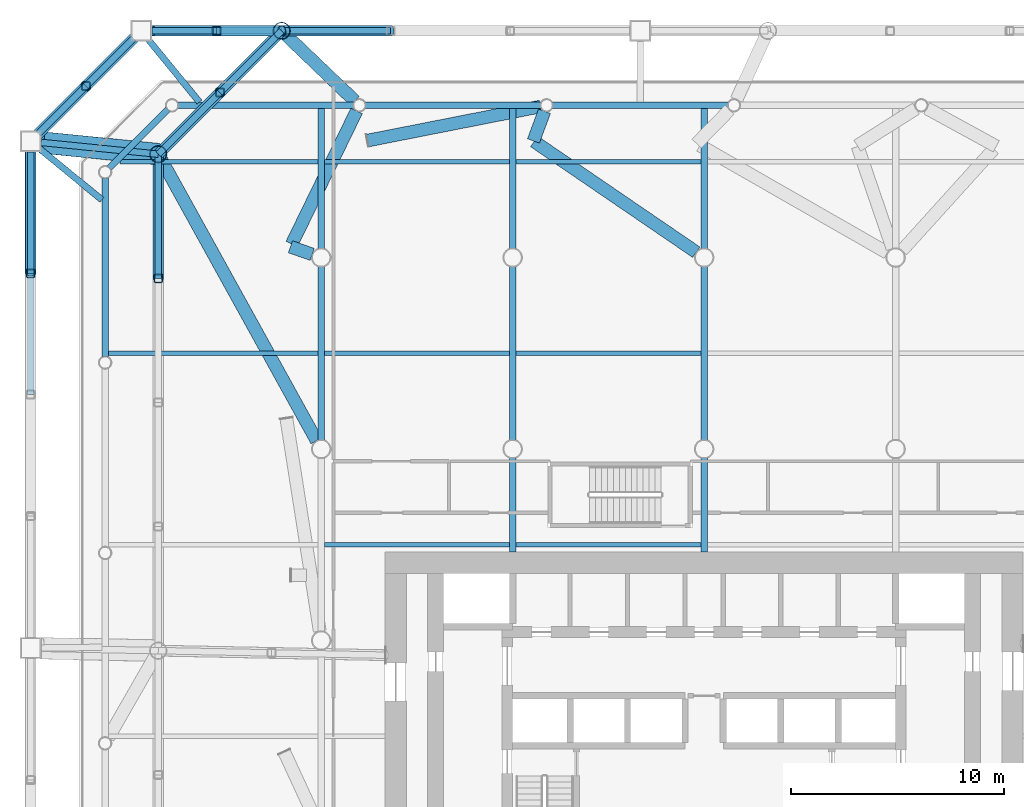
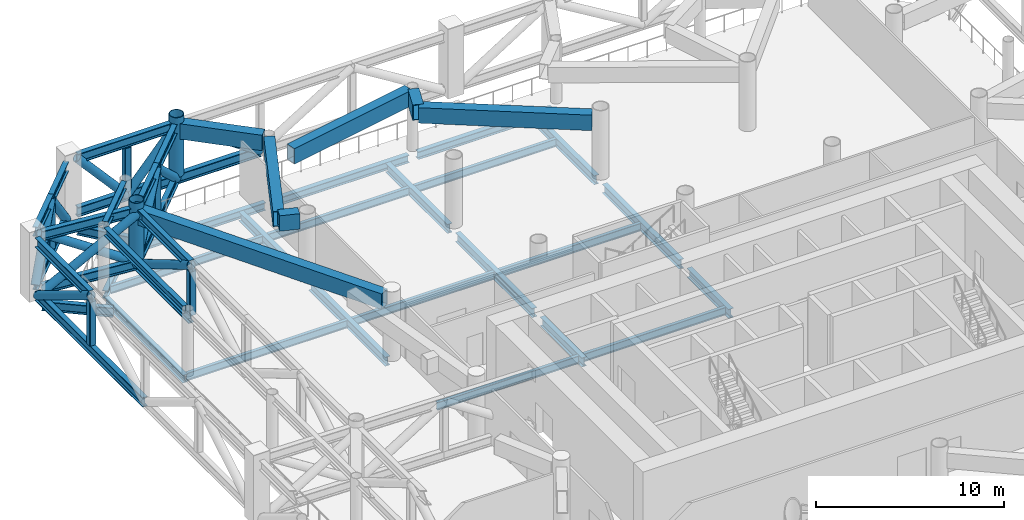
# One storey, part 6 of 22: 48 beams, 18 members.
"""IFC4 building model written with IfcOpenShell, lengths in metres."""

from ifc_helpers import new_model, si_unit, direction, frame, origin, origin_2d, place, context, subcontext, project, spatial, hollow_rectangle, hollow_circle, i_section, extrude, material, material_profile, profile_set, type_object, element, save


model = new_model("IFC4")

# Units and contexts
model_context = context("Model", 3, precision=1e-05, world=origin(), true_north=direction((0.0, 1.0)))
body_context = subcontext(model_context, "Body", "Model", "MODEL_VIEW")
ifc_project = project(units=[si_unit("LENGTHUNIT", "METRE"), si_unit("AREAUNIT", "SQUARE_METRE"), si_unit("VOLUMEUNIT", "CUBIC_METRE"), si_unit("PLANEANGLEUNIT", "RADIAN"), si_unit("MASSUNIT", "GRAM", prefix="KILO")], contexts=[model_context])

# Site, building, storey
site_placement = place(None, origin())
site = spatial("IfcSite", under=ifc_project, at=site_placement, CompositionType="ELEMENT")
building_placement = place(site_placement, origin())
building = spatial("IfcBuilding", under=site, at=building_placement, Name="Tskaro Facet Tower", CompositionType="ELEMENT")
storey_placement = place(building_placement, frame((0.0, 0.0, 57.60009765625)))
storey = spatial("IfcBuildingStorey", under=building, at=storey_placement, Name="L13", CompositionType="ELEMENT", Elevation=57.60009765625)

# Beams
ifc_material_1 = material(Name="Steel S355J2", Category="steel")
ifc_material_profile_1 = material_profile(ifc_material_1, hollow_rectangle(XDim=0.60009765625, YDim=1.0, WallThickness=0.0400390625, at=origin_2d()), Name="BOX 600x1000x40")
ifc_profile_set_1 = profile_set([ifc_material_profile_1], Name="Steel S355J2")
beam_type_1 = type_object("IfcBeamType", Name="BOX 600x1000x40 transfer girder", PredefinedType="BEAM", material=ifc_profile_set_1)
beam_1_placement = place(storey_placement, frame((-19.446044921875, 18.5078125, 3.579833984375), z_axis=(0.943524759619, -0.331302019289, 0.0), x_axis=(0.331302019289, 0.943524759619, 0.0)))
element("IfcBeam", 1, at=beam_1_placement, inside=storey, type_object=beam_type_1, Name="BOX 600x1000x40 TG2-6", PredefinedType="BEAM", context=body_context, shape_type="SweptSolid", body=[
    extrude(hollow_rectangle(XDim=0.60009765625, YDim=1.0, WallThickness=0.0400390625, at=origin_2d()), origin(), (0.0, 0.0, 1.0), 1.08544921875),
])
beam_2_placement = place(storey_placement, frame((-19.384765625, 18.633544921875, 3.579833984375), z_axis=(0.437930904469, 0.899008633391, 0.0), x_axis=(-0.899008633391, 0.437930904469, 0.0)))
element("IfcBeam", 2, at=beam_2_placement, inside=storey, type_object=beam_type_1, Name="BOX 600x1000x40 TG2-7", PredefinedType="BEAM", context=body_context, shape_type="SweptSolid", body=[
    extrude(hollow_rectangle(XDim=0.60009765625, YDim=1.0, WallThickness=0.0400390625, at=origin_2d()), origin(), (0.0, 0.0, 1.0), 6.96142578125),
])
beam_3_placement = place(storey_placement, frame((-15.816162109375, 23.500244140625, 3.579833984375), z_axis=(0.981159198044, 0.193201004381, 0.0), x_axis=(-0.193201004381, 0.981159198044, 0.0)))
element("IfcBeam", 3, at=beam_3_placement, inside=storey, type_object=beam_type_1, Name="BOX 600x1000x40 TG2-8", PredefinedType="BEAM", context=body_context, shape_type="SweptSolid", body=[
    extrude(hollow_rectangle(XDim=0.60009765625, YDim=1.0, WallThickness=0.0400390625, at=origin_2d()), origin(), (0.0, 0.0, 1.0), 8.28076171875),
])
beam_4_placement = place(storey_placement, frame((-8.02294921875, 23.480712890625, 3.579833984375), z_axis=(0.347410243241, 0.93771324129, 0.0), x_axis=(-0.93771324129, 0.347410243241, 0.0)))
element("IfcBeam", 4, at=beam_4_placement, inside=storey, type_object=beam_type_1, Name="BOX 600x1000x40 TG2-11", PredefinedType="BEAM", context=body_context, shape_type="SweptSolid", body=[
    extrude(hollow_rectangle(XDim=0.60009765625, YDim=1.0, WallThickness=0.0400390625, at=origin_2d()), origin(), (0.0, 0.0, 1.0), 1.49267578125),
])
beam_5_placement = place(storey_placement, frame((-7.989990234375, 23.458251953125, 3.579833984375), z_axis=(0.825721647739, -0.564077796456, 0.0), x_axis=(0.564077796456, 0.825721647739, 0.0)))
element("IfcBeam", 5, at=beam_5_placement, inside=storey, type_object=beam_type_1, Name="BOX 600x1000x40 TG2-12", PredefinedType="BEAM", context=body_context, shape_type="SweptSolid", body=[
    extrude(hollow_rectangle(XDim=0.60009765625, YDim=1.0, WallThickness=0.0400390625, at=origin_2d()), origin(), (0.0, 0.0, 1.0), 9.229248046875),
])
beam_6_placement = place(storey_placement, frame((-25.658935546875, 22.85888671875, 3.579833984375), z_axis=(0.483688350666, -0.875240298107, 0.0), x_axis=(0.875240298107, 0.483688350666, 0.0)))
element("IfcBeam", 6, at=beam_6_placement, inside=storey, type_object=beam_type_1, Name="BOX 600x1000x40 TG2-13", PredefinedType="BEAM", context=body_context, shape_type="SweptSolid", body=[
    extrude(hollow_rectangle(XDim=0.60009765625, YDim=1.0, WallThickness=0.0400390625, at=origin_2d()), origin(), (0.0, 0.0, 1.0), 15.38720703125),
])
beam_7_placement = place(storey_placement, frame((-19.85888671875, 28.658935546875, 3.579833984375), z_axis=(0.721759929695, -0.692143485043, 0.0), x_axis=(0.692143485043, 0.721759929695, 0.0)))
element("IfcBeam", 7, at=beam_7_placement, inside=storey, type_object=beam_type_1, Name="BOX 600x1000x40 TG2-47", PredefinedType="BEAM", context=body_context, shape_type="SweptSolid", body=[
    extrude(hollow_rectangle(XDim=0.60009765625, YDim=1.0, WallThickness=0.0400390625, at=origin_2d()), origin(), (0.0, 0.0, 1.0), 4.7646484375),
])

# Members
ifc_material_2 = material(Name="Steel S355J2H", Category="steel")
ifc_material_profile_2 = material_profile(ifc_material_2, hollow_circle(Radius=0.25390625, WallThickness=0.02490234375, at=origin_2d()), Name="CHS 508x25")
ifc_profile_set_2 = profile_set([ifc_material_profile_2], Name="Steel S355J2H")
member_type_1 = type_object("IfcMemberType", Name="CHS 508x25 belt diagonal", PredefinedType="BRACE", material=ifc_profile_set_2)
member_1_placement = place(storey_placement, frame((-14.7314453125, 28.658935546875, 0.309814453125), z_axis=(-0.828909981142, 0.0, 0.559382018985), x_axis=(0.0, -1.0, 0.0)))
element("IfcMember", 8, at=member_1_placement, inside=storey, type_object=member_type_1, Name="CHS 508x25 BD1-083", PredefinedType="BRACE", context=body_context, shape_type="SweptSolid", body=[
    extrude(hollow_circle(Radius=0.25390625, WallThickness=0.02490234375, at=origin_2d()), origin(), (0.0, 0.0, 1.0), 6.185791015625),
])
for number, where, z_axis, x_axis, name in (
    (9, (-19.85888671875, 28.658935546875, 3.77001953125), (-0.66148511887, 0.0, -0.749958290516), (0.0, -1.0, 0.0), "CHS 508x25 BD1-084"),
    (10, (-22.910888671875, 28.658935546875, 0.309814453125), (-0.66148511887, 0.0, 0.749958290516), (0.0, -1.0, 0.0), "CHS 508x25 BD1-085"),
):
    element("IfcMember", number, at=place(storey_placement, frame(where, z_axis=z_axis, x_axis=x_axis)), inside=storey, type_object=member_type_1, Name=name, PredefinedType="BRACE", context=body_context, shape_type="SweptSolid", body=[
        extrude(hollow_circle(Radius=0.25390625, WallThickness=0.02490234375, at=origin_2d()), origin(), (0.0, 0.0, 1.0), 4.61376953125),
    ])
for number, where, z_axis, x_axis, name in (
    (11, (-26.816650390625, 28.305419921875, 0.309814453125), (-0.477988218239, -0.477988218239, 0.736922334069), (0.707106781187, -0.707106781187, 0.0), "CHS 508x25 BD1-091"),
    (12, (-29.06103515625, 26.06103515625, 3.77001953125), (-0.477988218239, -0.477988218239, -0.736922334069), (0.707106781187, -0.707106781187, 0.0), "CHS 508x25 BD1-092"),
):
    element("IfcMember", number, at=place(storey_placement, frame(where, z_axis=z_axis, x_axis=x_axis)), inside=storey, type_object=member_type_1, Name=name, PredefinedType="BRACE", context=body_context, shape_type="SweptSolid", body=[
        extrude(hollow_circle(Radius=0.25390625, WallThickness=0.02490234375, at=origin_2d()), origin(), (0.0, 0.0, 1.0), 4.695556640625),
    ])
member_2_placement = place(storey_placement, frame((-31.658935546875, 22.962890625, 0.309814453125), z_axis=(0.0, -0.855026263198, 0.518584698233), x_axis=(1.0, 0.0, 0.0)))
element("IfcMember", 13, at=member_2_placement, inside=storey, type_object=member_type_1, Name="CHS 508x25 BD1-101", PredefinedType="BRACE", context=body_context, shape_type="SweptSolid", body=[
    extrude(hollow_circle(Radius=0.25390625, WallThickness=0.02490234375, at=origin_2d()), origin(), (0.0, 0.0, 1.0), 6.67236328125),
])
for number, where, z_axis, x_axis, name in (
    (14, (-19.85888671875, 28.658935546875, 0.309814453125), (-0.540473238838, -0.540427740628, 0.644846133012), (0.707077016416, -0.707136544705, 0.0), "CHS 508x25 TB1-09-D1"),
    (15, (-22.759033203125, 25.759033203125, 3.77001953125), (-0.540427740628, -0.540473238838, -0.644846133012), (0.707136544705, -0.707077016416, 0.0), "CHS 508x25 TB1-09-D2"),
):
    element("IfcMember", number, at=place(storey_placement, frame(where, z_axis=z_axis, x_axis=x_axis)), inside=storey, type_object=member_type_1, Name=name, PredefinedType="BRACE", context=body_context, shape_type="SweptSolid", body=[
        extrude(hollow_circle(Radius=0.25390625, WallThickness=0.02490234375, at=origin_2d()), origin(), (0.0, 0.0, 1.0), 5.365966796875),
    ])
member_3_placement = place(storey_placement, frame((-25.658935546875, 22.85888671875, 0.309814453125), z_axis=(0.0, -0.860104974489, 0.510117077601), x_axis=(1.0, 0.0, 0.0)))
element("IfcMember", 16, at=member_3_placement, inside=storey, type_object=member_type_1, Name="CHS 508x25 TB1-10-D1", PredefinedType="BRACE", context=body_context, shape_type="SweptSolid", body=[
    extrude(hollow_circle(Radius=0.25390625, WallThickness=0.02490234375, at=origin_2d()), origin(), (0.0, 0.0, 1.0), 6.783203125),
])
member_4_placement = place(storey_placement, frame((-31.18701171875, 23.16015625, 0.309814453125), z_axis=(0.843483857689, -0.084913477665, 0.530400493146), x_axis=(0.100163677994, 0.99497097325, 0.0)))
element("IfcMember", 17, at=member_4_placement, inside=storey, type_object=member_type_1, Name="CHS 508x25 TL1-10A-D1", PredefinedType="BRACE", context=body_context, shape_type="SweptSolid", body=[
    extrude(hollow_circle(Radius=0.25390625, WallThickness=0.02490234375, at=origin_2d()), origin(), (0.0, 0.0, 1.0), 6.523681640625),
])
member_5_placement = place(storey_placement, frame((-31.135986328125, 23.66552734375, 3.77001953125), z_axis=(0.843475739177, -0.084879003303, -0.530418921437), x_axis=(0.100124373921, 0.994974929205, 0.0)))
element("IfcMember", 18, at=member_5_placement, inside=storey, type_object=member_type_1, Name="CHS 508x25 TL1-10A-D2", PredefinedType="BRACE", context=body_context, shape_type="SweptSolid", body=[
    extrude(hollow_circle(Radius=0.25390625, WallThickness=0.02490234375, at=origin_2d()), origin(), (0.0, 0.0, 1.0), 6.5234375),
])
ifc_material_profile_3 = material_profile(ifc_material_2, hollow_circle(Radius=0.406494140625, WallThickness=0.035888671875, at=origin_2d()), Name="CHS 812.8x36")
ifc_profile_set_3 = profile_set([ifc_material_profile_3], Name="Steel S355J2H")
member_type_2 = type_object("IfcMemberType", Name="CHS 812.8x36 transfer node post", PredefinedType="POST", material=ifc_profile_set_3)
for number, where, z_axis, x_axis, name in (
    (19, (-19.85888671875, 28.658935546875, 0.619873046875), (0.0, 0.0, 1.0), (1.0, 0.0, 0.0), "CHS 812.8x36 TN1-09"),
    (20, (-25.658935546875, 22.85888671875, 0.619873046875), (0.0, 0.0, 1.0), (1.0, 0.0, 0.0), "CHS 812.8x36 TN1-10"),
):
    element("IfcMember", number, at=place(storey_placement, frame(where, z_axis=z_axis, x_axis=x_axis)), inside=storey, type_object=member_type_2, Name=name, PredefinedType="POST", context=body_context, shape_type="SweptSolid", body=[
        extrude(hollow_circle(Radius=0.406494140625, WallThickness=0.035888671875, at=origin_2d()), origin(), (0.0, 0.0, 1.0), 3.880126953125),
    ])

# Beams
ifc_material_profile_4 = material_profile(ifc_material_1, i_section(OverallWidth=0.300048828125, OverallDepth=0.5, WebThickness=0.014404296875, FlangeThickness=0.028076171875, FilletRadius=0.027099609375, at=origin_2d()), Name="HE 500 B")
ifc_profile_set_4 = profile_set([ifc_material_profile_4], Name="Steel S355J2")
beam_type_2 = type_object("IfcBeamType", Name="HE 500 B ring beam", PredefinedType="BEAM", material=ifc_profile_set_4)
beam_8_placement = place(storey_placement, frame((1.126953125, 25.156982421875, -0.5), z_axis=(-1.0, 0.0, 0.0), x_axis=(0.0, -1.0, 0.0)))
element("IfcBeam", 21, at=beam_8_placement, inside=storey, type_object=beam_type_2, Name="HE 500 B EB16-1", PredefinedType="BEAM", context=body_context, shape_type="SweptSolid", body=[
    extrude(i_section(OverallWidth=0.300048828125, OverallDepth=0.5, WebThickness=0.014404296875, FlangeThickness=0.028076171875, FilletRadius=0.027099609375, at=origin_2d()), origin(), (0.0, 0.0, 1.0), 8.25390625),
])
beam_9_placement = place(storey_placement, frame((-7.677001953125, 25.156982421875, -0.5), z_axis=(-1.0, 0.0, 0.0), x_axis=(0.0, -1.0, 0.0)))
element("IfcBeam", 22, at=beam_9_placement, inside=storey, type_object=beam_type_2, Name="HE 500 B EB17-1", PredefinedType="BEAM", context=body_context, shape_type="SweptSolid", body=[
    extrude(i_section(OverallWidth=0.300048828125, OverallDepth=0.5, WebThickness=0.014404296875, FlangeThickness=0.028076171875, FilletRadius=0.027099609375, at=origin_2d()), origin(), (0.0, 0.0, 1.0), 8.2548828125),
])
beam_10_placement = place(storey_placement, frame((-16.48193359375, 25.156982421875, -0.5), z_axis=(-1.0, 0.0, 0.0), x_axis=(0.0, -1.0, 0.0)))
element("IfcBeam", 23, at=beam_10_placement, inside=storey, type_object=beam_type_2, Name="HE 500 B EB18-1", PredefinedType="BEAM", context=body_context, shape_type="SweptSolid", body=[
    extrude(i_section(OverallWidth=0.300048828125, OverallDepth=0.5, WebThickness=0.014404296875, FlangeThickness=0.028076171875, FilletRadius=0.027099609375, at=origin_2d()), origin(), (0.0, 0.0, 1.0), 8.255126953125),
])
beam_11_placement = place(storey_placement, frame((-25.20654296875, 24.962646484375, -0.5), z_axis=(-0.707106781187, -0.707106781187, 0.0), x_axis=(0.707106781187, -0.707106781187, 0.0)))
element("IfcBeam", 24, at=beam_11_placement, inside=storey, type_object=beam_type_2, Name="HE 500 B EB19-1", PredefinedType="BEAM", context=body_context, shape_type="SweptSolid", body=[
    extrude(i_section(OverallWidth=0.300048828125, OverallDepth=0.5, WebThickness=0.014404296875, FlangeThickness=0.028076171875, FilletRadius=0.027099609375, at=origin_2d()), origin(), (0.0, 0.0, 1.0), 3.897705078125),
])
beam_12_placement = place(storey_placement, frame((-28.156982421875, 21.737060546875, -0.5), z_axis=(0.0, -1.0, 0.0), x_axis=(1.0, 0.0, 0.0)))
element("IfcBeam", 25, at=beam_12_placement, inside=storey, type_object=beam_type_2, Name="HE 500 B EB20-1", PredefinedType="BEAM", context=body_context, shape_type="SweptSolid", body=[
    extrude(i_section(OverallWidth=0.300048828125, OverallDepth=0.5, WebThickness=0.014404296875, FlangeThickness=0.028076171875, FilletRadius=0.027099609375, at=origin_2d()), origin(), (0.0, 0.0, 1.0), 8.39794921875),
])
beam_13_placement = place(storey_placement, frame((-25.20654296875, 24.962646484375, 4.0), z_axis=(-0.707106781187, -0.707106781187, 0.0), x_axis=(0.707106781187, -0.707106781187, 0.0)))
element("IfcBeam", 26, at=beam_13_placement, inside=storey, type_object=beam_type_2, Name="HE 500 B EB19-1R", PredefinedType="BEAM", context=body_context, shape_type="SweptSolid", body=[
    extrude(i_section(OverallWidth=0.300048828125, OverallDepth=0.5, WebThickness=0.014404296875, FlangeThickness=0.028076171875, FilletRadius=0.027099609375, at=origin_2d()), origin(), (0.0, 0.0, 1.0), 3.897705078125),
])
beam_14_placement = place(storey_placement, frame((-28.156982421875, 21.737060546875, 4.0), z_axis=(0.0, -1.0, 0.0), x_axis=(1.0, 0.0, 0.0)))
element("IfcBeam", 27, at=beam_14_placement, inside=storey, type_object=beam_type_2, Name="HE 500 B EB20-1R", PredefinedType="BEAM", context=body_context, shape_type="SweptSolid", body=[
    extrude(i_section(OverallWidth=0.300048828125, OverallDepth=0.5, WebThickness=0.014404296875, FlangeThickness=0.028076171875, FilletRadius=0.027099609375, at=origin_2d()), origin(), (0.0, 0.0, 1.0), 8.39794921875),
])
ifc_material_profile_5 = material_profile(ifc_material_1, i_section(OverallWidth=0.300048828125, OverallDepth=0.590087890625, WebThickness=0.012939453125, FlangeThickness=0.02490234375, FilletRadius=0.027099609375, at=origin_2d()), Name="HE 600 A")
ifc_profile_set_5 = profile_set([ifc_material_profile_5], Name="Steel S355J2")
beam_type_3 = type_object("IfcBeamType", Name="HE 600 A girder", PredefinedType="BEAM", material=ifc_profile_set_5)
beam_15_placement = place(storey_placement, frame((-18.0, 9.42724609375, -0.545166015625), z_axis=(0.0, 1.0, 0.0), x_axis=(-1.0, 0.0, 0.0)))
element("IfcBeam", 28, at=beam_15_placement, inside=storey, type_object=beam_type_3, Name="HE 600 A GB2-5-1", PredefinedType="BEAM", context=body_context, shape_type="SweptSolid", body=[
    extrude(i_section(OverallWidth=0.300048828125, OverallDepth=0.590087890625, WebThickness=0.012939453125, FlangeThickness=0.02490234375, FilletRadius=0.027099609375, at=origin_2d()), origin(), (0.0, 0.0, 1.0), 8.1455078125),
])
beam_16_placement = place(storey_placement, frame((-18.0, 18.42724609375, -0.545166015625), z_axis=(0.0, 1.0, 0.0), x_axis=(-1.0, 0.0, 0.0)))
element("IfcBeam", 29, at=beam_16_placement, inside=storey, type_object=beam_type_3, Name="HE 600 A GB2-6-1", PredefinedType="BEAM", context=body_context, shape_type="SweptSolid", body=[
    extrude(i_section(OverallWidth=0.300048828125, OverallDepth=0.590087890625, WebThickness=0.012939453125, FlangeThickness=0.02490234375, FilletRadius=0.027099609375, at=origin_2d()), origin(), (0.0, 0.0, 1.0), 6.579833984375),
])
beam_17_placement = place(storey_placement, frame((-9.0, 4.14990234375, -0.545166015625), z_axis=(0.0, 1.0, 0.0), x_axis=(-1.0, 0.0, 0.0)))
element("IfcBeam", 30, at=beam_17_placement, inside=storey, type_object=beam_type_3, Name="HE 600 A GB3-3-1", PredefinedType="BEAM", context=body_context, shape_type="SweptSolid", body=[
    extrude(i_section(OverallWidth=0.300048828125, OverallDepth=0.590087890625, WebThickness=0.012939453125, FlangeThickness=0.02490234375, FilletRadius=0.027099609375, at=origin_2d()), origin(), (0.0, 0.0, 1.0), 4.4228515625),
])
beam_18_placement = place(storey_placement, frame((-9.0, 9.42724609375, -0.545166015625), z_axis=(0.0, 1.0, 0.0), x_axis=(-1.0, 0.0, 0.0)))
element("IfcBeam", 31, at=beam_18_placement, inside=storey, type_object=beam_type_3, Name="HE 600 A GB3-4-1", PredefinedType="BEAM", context=body_context, shape_type="SweptSolid", body=[
    extrude(i_section(OverallWidth=0.300048828125, OverallDepth=0.590087890625, WebThickness=0.012939453125, FlangeThickness=0.02490234375, FilletRadius=0.027099609375, at=origin_2d()), origin(), (0.0, 0.0, 1.0), 8.1455078125),
])
beam_19_placement = place(storey_placement, frame((-9.0, 18.42724609375, -0.545166015625), z_axis=(0.0, 1.0, 0.0), x_axis=(-1.0, 0.0, 0.0)))
element("IfcBeam", 32, at=beam_19_placement, inside=storey, type_object=beam_type_3, Name="HE 600 A GB3-5-1", PredefinedType="BEAM", context=body_context, shape_type="SweptSolid", body=[
    extrude(i_section(OverallWidth=0.300048828125, OverallDepth=0.590087890625, WebThickness=0.012939453125, FlangeThickness=0.02490234375, FilletRadius=0.027099609375, at=origin_2d()), origin(), (0.0, 0.0, 1.0), 6.579833984375),
])
beam_20_placement = place(storey_placement, frame((0.0, 4.14990234375, -0.545166015625), z_axis=(0.0, 1.0, 0.0), x_axis=(-1.0, 0.0, 0.0)))
element("IfcBeam", 33, at=beam_20_placement, inside=storey, type_object=beam_type_3, Name="HE 600 A GB4-3-1", PredefinedType="BEAM", context=body_context, shape_type="SweptSolid", body=[
    extrude(i_section(OverallWidth=0.300048828125, OverallDepth=0.590087890625, WebThickness=0.012939453125, FlangeThickness=0.02490234375, FilletRadius=0.027099609375, at=origin_2d()), origin(), (0.0, 0.0, 1.0), 4.4228515625),
])
beam_21_placement = place(storey_placement, frame((0.0, 9.42724609375, -0.545166015625), z_axis=(0.0, 1.0, 0.0), x_axis=(-1.0, 0.0, 0.0)))
element("IfcBeam", 34, at=beam_21_placement, inside=storey, type_object=beam_type_3, Name="HE 600 A GB4-4-1", PredefinedType="BEAM", context=body_context, shape_type="SweptSolid", body=[
    extrude(i_section(OverallWidth=0.300048828125, OverallDepth=0.590087890625, WebThickness=0.012939453125, FlangeThickness=0.02490234375, FilletRadius=0.027099609375, at=origin_2d()), origin(), (0.0, 0.0, 1.0), 8.1455078125),
])
beam_22_placement = place(storey_placement, frame((0.0, 18.42724609375, -0.545166015625), z_axis=(0.0, 1.0, 0.0), x_axis=(-1.0, 0.0, 0.0)))
element("IfcBeam", 35, at=beam_22_placement, inside=storey, type_object=beam_type_3, Name="HE 600 A GB4-5-1", PredefinedType="BEAM", context=body_context, shape_type="SweptSolid", body=[
    extrude(i_section(OverallWidth=0.300048828125, OverallDepth=0.590087890625, WebThickness=0.012939453125, FlangeThickness=0.02490234375, FilletRadius=0.027099609375, at=origin_2d()), origin(), (0.0, 0.0, 1.0), 6.579833984375),
])
ifc_material_profile_6 = material_profile(ifc_material_1, i_section(OverallWidth=0.300048828125, OverallDepth=0.60009765625, WebThickness=0.015380859375, FlangeThickness=0.030029296875, FilletRadius=0.027099609375, at=origin_2d()), Name="HE 600 B")
ifc_profile_set_6 = profile_set([ifc_material_profile_6], Name="Steel S355J2")
beam_type_4 = type_object("IfcBeamType", Name="HE 600 B floor strut", PredefinedType="BEAM", material=ifc_profile_set_6)
beam_23_placement = place(storey_placement, frame((-26.146484375, 28.27197265625, -0.550048828125), z_axis=(0.632939207462, -0.774201498099, 0.0), x_axis=(0.774201498099, 0.632939207462, 0.0)))
element("IfcBeam", 36, at=beam_23_placement, inside=storey, type_object=beam_type_4, Name="HE 600 B ES1-09", PredefinedType="BEAM", context=body_context, shape_type="SweptSolid", body=[
    extrude(i_section(OverallWidth=0.300048828125, OverallDepth=0.60009765625, WebThickness=0.015380859375, FlangeThickness=0.030029296875, FilletRadius=0.027099609375, at=origin_2d()), origin(), (0.0, 0.0, 1.0), 3.829833984375),
])
beam_24_placement = place(storey_placement, frame((-31.2724609375, 23.14599609375, -0.550048828125), z_axis=(0.773253432615, -0.634097097414, 0.0), x_axis=(0.634097097414, 0.773253432615, 0.0)))
element("IfcBeam", 37, at=beam_24_placement, inside=storey, type_object=beam_type_4, Name="HE 600 B ES1-10", PredefinedType="BEAM", context=body_context, shape_type="SweptSolid", body=[
    extrude(i_section(OverallWidth=0.300048828125, OverallDepth=0.60009765625, WebThickness=0.015380859375, FlangeThickness=0.030029296875, FilletRadius=0.027099609375, at=origin_2d()), origin(), (0.0, 0.0, 1.0), 3.835205078125),
])
ifc_material_profile_7 = material_profile(ifc_material_1, i_section(OverallWidth=0.304931640625, OverallDepth=0.6201171875, WebThickness=0.02099609375, FlangeThickness=0.0400390625, FilletRadius=0.027099609375, at=origin_2d()), Name="HE 600 M")
ifc_profile_set_7 = profile_set([ifc_material_profile_7], Name="Steel S355J2")
beam_type_5 = type_object("IfcBeamType", Name="HE 600 M belt chord", PredefinedType="BEAM", material=ifc_profile_set_7)
beam_25_placement = place(storey_placement, frame((-19.85888671875, 28.658935546875, 3.77001953125), z_axis=(-1.0, 0.0, 0.0), x_axis=(0.0, -1.0, 0.0)))
element("IfcBeam", 38, at=beam_25_placement, inside=storey, type_object=beam_type_5, Name="HE 600 M BT1-08T3", PredefinedType="BEAM", context=body_context, shape_type="SweptSolid", body=[
    extrude(i_section(OverallWidth=0.304931640625, OverallDepth=0.6201171875, WebThickness=0.02099609375, FlangeThickness=0.0400390625, FilletRadius=0.027099609375, at=origin_2d()), origin(), (0.0, 0.0, 1.0), 6.10400390625),
])
beam_26_placement = place(storey_placement, frame((-14.7314453125, 28.658935546875, 0.309814453125), z_axis=(-1.0, 0.0, 0.0), x_axis=(0.0, -1.0, 0.0)))
element("IfcBeam", 39, at=beam_26_placement, inside=storey, type_object=beam_type_5, Name="HE 600 M BT1-08B2", PredefinedType="BEAM", context=body_context, shape_type="SweptSolid", body=[
    extrude(i_section(OverallWidth=0.304931640625, OverallDepth=0.6201171875, WebThickness=0.02099609375, FlangeThickness=0.0400390625, FilletRadius=0.027099609375, at=origin_2d()), origin(), (0.0, 0.0, 1.0), 8.179443359375),
])
beam_27_placement = place(storey_placement, frame((-22.910888671875, 28.658935546875, 0.309814453125), z_axis=(-1.0, 0.0, 0.0), x_axis=(0.0, -1.0, 0.0)))
element("IfcBeam", 40, at=beam_27_placement, inside=storey, type_object=beam_type_5, Name="HE 600 M BT1-08B3", PredefinedType="BEAM", context=body_context, shape_type="SweptSolid", body=[
    extrude(i_section(OverallWidth=0.304931640625, OverallDepth=0.6201171875, WebThickness=0.02099609375, FlangeThickness=0.0400390625, FilletRadius=0.027099609375, at=origin_2d()), origin(), (0.0, 0.0, 1.0), 3.052001953125),
])
for number, where, z_axis, x_axis, name in (
    (41, (-26.816650390625, 28.305419921875, 3.77001953125), (-0.707106781187, -0.707106781187, 0.0), (0.707106781187, -0.707106781187, 0.0), "HE 600 M BT1-09T1"),
    (42, (-29.06103515625, 26.06103515625, 3.77001953125), (-0.707106781187, -0.707106781187, 0.0), (0.707106781187, -0.707106781187, 0.0), "HE 600 M BT1-09T2"),
):
    element("IfcBeam", number, at=place(storey_placement, frame(where, z_axis=z_axis, x_axis=x_axis)), inside=storey, type_object=beam_type_5, Name=name, PredefinedType="BEAM", context=body_context, shape_type="SweptSolid", body=[
        extrude(i_section(OverallWidth=0.304931640625, OverallDepth=0.6201171875, WebThickness=0.02099609375, FlangeThickness=0.0400390625, FilletRadius=0.027099609375, at=origin_2d()), origin(), (0.0, 0.0, 1.0), 3.174072265625),
    ])
beam_28_placement = place(storey_placement, frame((-26.816650390625, 28.305419921875, 0.309814453125), z_axis=(-0.707106781187, -0.707106781187, 0.0), x_axis=(0.707106781187, -0.707106781187, 0.0)))
element("IfcBeam", 43, at=beam_28_placement, inside=storey, type_object=beam_type_5, Name="HE 600 M BT1-09B1", PredefinedType="BEAM", context=body_context, shape_type="SweptSolid", body=[
    extrude(i_section(OverallWidth=0.304931640625, OverallDepth=0.6201171875, WebThickness=0.02099609375, FlangeThickness=0.0400390625, FilletRadius=0.027099609375, at=origin_2d()), origin(), (0.0, 0.0, 1.0), 6.34814453125),
])
beam_29_placement = place(storey_placement, frame((-31.658935546875, 22.962890625, 3.77001953125), z_axis=(0.0, -1.0, 0.0), x_axis=(1.0, 0.0, 0.0)))
element("IfcBeam", 44, at=beam_29_placement, inside=storey, type_object=beam_type_5, Name="HE 600 M BT1-10T1", PredefinedType="BEAM", context=body_context, shape_type="SweptSolid", body=[
    extrude(i_section(OverallWidth=0.304931640625, OverallDepth=0.6201171875, WebThickness=0.02099609375, FlangeThickness=0.0400390625, FilletRadius=0.027099609375, at=origin_2d()), origin(), (0.0, 0.0, 1.0), 5.705078125),
])
beam_30_placement = place(storey_placement, frame((-31.658935546875, 22.962890625, 0.309814453125), z_axis=(0.0, -1.0, 0.0), x_axis=(1.0, 0.0, 0.0)))
element("IfcBeam", 45, at=beam_30_placement, inside=storey, type_object=beam_type_5, Name="HE 600 M BT1-10B1", PredefinedType="BEAM", context=body_context, shape_type="SweptSolid", body=[
    extrude(i_section(OverallWidth=0.304931640625, OverallDepth=0.6201171875, WebThickness=0.02099609375, FlangeThickness=0.0400390625, FilletRadius=0.027099609375, at=origin_2d()), origin(), (0.0, 0.0, 1.0), 11.410400390625),
])
for number, where, z_axis, x_axis, name in (
    (46, (-19.85888671875, 28.658935546875, 3.77001953125), (-0.707136544705, -0.707077016416, 0.0), (0.707077016416, -0.707136544705, 0.0), "HE 600 M TB1-09-T1"),
    (47, (-19.85888671875, 28.658935546875, 0.309814453125), (-0.707136544705, -0.707077016416, 0.0), (0.707077016416, -0.707136544705, 0.0), "HE 600 M TB1-09-B1"),
    (48, (-22.759033203125, 25.759033203125, 3.77001953125), (-0.707077016416, -0.707136544705, 0.0), (0.707136544705, -0.707077016416, 0.0), "HE 600 M TB1-09-T2"),
    (49, (-22.759033203125, 25.759033203125, 0.309814453125), (-0.707077016416, -0.707136544705, 0.0), (0.707136544705, -0.707077016416, 0.0), "HE 600 M TB1-09-B2"),
):
    element("IfcBeam", number, at=place(storey_placement, frame(where, z_axis=z_axis, x_axis=x_axis)), inside=storey, type_object=beam_type_5, Name=name, PredefinedType="BEAM", context=body_context, shape_type="SweptSolid", body=[
        extrude(i_section(OverallWidth=0.304931640625, OverallDepth=0.6201171875, WebThickness=0.02099609375, FlangeThickness=0.0400390625, FilletRadius=0.027099609375, at=origin_2d()), origin(), (0.0, 0.0, 1.0), 4.101318359375),
    ])
for number, where, z_axis, x_axis, name in (
    (50, (-25.658935546875, 22.85888671875, 3.77001953125), (0.0, -1.0, 0.0), (1.0, 0.0, 0.0), "HE 600 M TB1-10-T1"),
    (51, (-25.658935546875, 22.85888671875, 0.309814453125), (0.0, -1.0, 0.0), (1.0, 0.0, 0.0), "HE 600 M TB1-10-B1"),
):
    element("IfcBeam", number, at=place(storey_placement, frame(where, z_axis=z_axis, x_axis=x_axis)), inside=storey, type_object=beam_type_5, Name=name, PredefinedType="BEAM", context=body_context, shape_type="SweptSolid", body=[
        extrude(i_section(OverallWidth=0.304931640625, OverallDepth=0.6201171875, WebThickness=0.02099609375, FlangeThickness=0.0400390625, FilletRadius=0.027099609375, at=origin_2d()), origin(), (0.0, 0.0, 1.0), 5.834228515625),
    ])
for number, where, z_axis, x_axis, name in (
    (52, (-31.16162109375, 23.412841796875, 3.77001953125), (0.99497097325, -0.100163677994, 0.0), (0.100163677994, 0.99497097325, 0.0), "HE 600 M TL1-10A-T1"),
    (53, (-31.16162109375, 23.412841796875, 0.309814453125), (0.99497097325, -0.100163677994, 0.0), (0.100163677994, 0.99497097325, 0.0), "HE 600 M TL1-10A-B1"),
):
    element("IfcBeam", number, at=place(storey_placement, frame(where, z_axis=z_axis, x_axis=x_axis)), inside=storey, type_object=beam_type_5, Name=name, PredefinedType="BEAM", context=body_context, shape_type="SweptSolid", body=[
        extrude(i_section(OverallWidth=0.304931640625, OverallDepth=0.6201171875, WebThickness=0.02099609375, FlangeThickness=0.0400390625, FilletRadius=0.027099609375, at=origin_2d()), origin(), (0.0, 0.0, 1.0), 5.530517578125),
    ])
ifc_material_profile_8 = material_profile(ifc_material_1, i_section(OverallWidth=0.199951171875, OverallDepth=0.5, WebThickness=0.01025390625, FlangeThickness=0.01611328125, FilletRadius=0.02099609375, at=origin_2d()), Name="IPE 500")
ifc_profile_set_8 = profile_set([ifc_material_profile_8], Name="Steel S355J2")
beam_type_6 = type_object("IfcBeamType", Name="IPE 500 secondary beam", PredefinedType="BEAM", material=ifc_profile_set_8)
for number, where, z_axis, x_axis, name in (
    (54, (-17.85009765625, 4.5, -0.5), (1.0, 0.0, 0.0), (0.0, 1.0, 0.0), "IPE 500 SB4a-2-1"),
    (55, (-8.85009765625, 4.5, -0.5), (1.0, 0.0, 0.0), (0.0, 1.0, 0.0), "IPE 500 SB4a-3-1"),
):
    element("IfcBeam", number, at=place(storey_placement, frame(where, z_axis=z_axis, x_axis=x_axis)), inside=storey, type_object=beam_type_6, Name=name, PredefinedType="BEAM", context=body_context, shape_type="SweptSolid", body=[
        extrude(i_section(OverallWidth=0.199951171875, OverallDepth=0.5, WebThickness=0.01025390625, FlangeThickness=0.01611328125, FilletRadius=0.02099609375, at=origin_2d()), origin(), (0.0, 0.0, 1.0), 8.7001953125),
    ])
beam_31_placement = place(storey_placement, frame((-28.007080078125, 13.5, -0.5), z_axis=(1.0, 0.0, 0.0), x_axis=(0.0, 1.0, 0.0)))
element("IfcBeam", 56, at=beam_31_placement, inside=storey, type_object=beam_type_6, Name="IPE 500 SB5a-1-1", PredefinedType="BEAM", context=body_context, shape_type="SweptSolid", body=[
    extrude(i_section(OverallWidth=0.199951171875, OverallDepth=0.5, WebThickness=0.01025390625, FlangeThickness=0.01611328125, FilletRadius=0.02099609375, at=origin_2d()), origin(), (0.0, 0.0, 1.0), 9.857177734375),
])
for number, where, z_axis, x_axis, name in (
    (57, (-17.85009765625, 13.5, -0.5), (1.0, 0.0, 0.0), (0.0, 1.0, 0.0), "IPE 500 SB5a-2-1"),
    (58, (-8.85009765625, 13.5, -0.5), (1.0, 0.0, 0.0), (0.0, 1.0, 0.0), "IPE 500 SB5a-3-1"),
):
    element("IfcBeam", number, at=place(storey_placement, frame(where, z_axis=z_axis, x_axis=x_axis)), inside=storey, type_object=beam_type_6, Name=name, PredefinedType="BEAM", context=body_context, shape_type="SweptSolid", body=[
        extrude(i_section(OverallWidth=0.199951171875, OverallDepth=0.5, WebThickness=0.01025390625, FlangeThickness=0.01611328125, FilletRadius=0.02099609375, at=origin_2d()), origin(), (0.0, 0.0, 1.0), 8.7001953125),
    ])
beam_32_placement = place(storey_placement, frame((-27.45703125, 22.5, -0.5), z_axis=(1.0, 0.0, 0.0), x_axis=(0.0, 1.0, 0.0)))
element("IfcBeam", 59, at=beam_32_placement, inside=storey, type_object=beam_type_6, Name="IPE 500 SB6a-1-1", PredefinedType="BEAM", context=body_context, shape_type="SweptSolid", body=[
    extrude(i_section(OverallWidth=0.199951171875, OverallDepth=0.5, WebThickness=0.01025390625, FlangeThickness=0.01611328125, FilletRadius=0.02099609375, at=origin_2d()), origin(), (0.0, 0.0, 1.0), 9.30712890625),
])
for number, where, z_axis, x_axis, name in (
    (60, (-17.85009765625, 22.5, -0.5), (1.0, 0.0, 0.0), (0.0, 1.0, 0.0), "IPE 500 SB6a-2-1"),
    (61, (-8.85009765625, 22.5, -0.5), (1.0, 0.0, 0.0), (0.0, 1.0, 0.0), "IPE 500 SB6a-3-1"),
):
    element("IfcBeam", number, at=place(storey_placement, frame(where, z_axis=z_axis, x_axis=x_axis)), inside=storey, type_object=beam_type_6, Name=name, PredefinedType="BEAM", context=body_context, shape_type="SweptSolid", body=[
        extrude(i_section(OverallWidth=0.199951171875, OverallDepth=0.5, WebThickness=0.01025390625, FlangeThickness=0.01611328125, FilletRadius=0.02099609375, at=origin_2d()), origin(), (0.0, 0.0, 1.0), 8.7001953125),
    ])

# Members
ifc_material_profile_9 = material_profile(ifc_material_2, hollow_rectangle(XDim=0.39990234375, YDim=0.39990234375, WallThickness=0.02490234375, InnerFilletRadius=0.03759765625, OuterFilletRadius=0.0625, at=origin_2d()), Name="SHS 400x400x25")
ifc_profile_set_9 = profile_set([ifc_material_profile_9], Name="Steel S355J2H")
member_type_3 = type_object("IfcMemberType", Name="SHS 400x400x25 belt post", PredefinedType="POST", material=ifc_profile_set_9)
for number, where, z_axis, x_axis, name in (
    (62, (-22.910888671875, 28.658935546875, 0.619873046875), (0.0, 0.0, 1.0), (1.0, 0.0, 0.0), "SHS 400x400x25 BP1-084"),
    (63, (-29.06103515625, 26.06103515625, 0.619873046875), (0.0, 0.0, 1.0), (1.0, 0.0, 0.0), "SHS 400x400x25 BP1-091"),
    (64, (-31.658935546875, 17.2578125, 0.619873046875), (0.0, 0.0, 1.0), (1.0, 0.0, 0.0), "SHS 400x400x25 BP1-101"),
    (65, (-22.759033203125, 25.759033203125, 0.619873046875), (0.0, 0.0, 1.0), (1.0, 0.0, 0.0), "SHS 400x400x25 TB1-09-P1"),
    (66, (-25.658935546875, 17.024658203125, 0.619873046875), (0.0, 0.0, 1.0), (1.0, 0.0, 0.0), "SHS 400x400x25 TB1-10-P1"),
):
    element("IfcMember", number, at=place(storey_placement, frame(where, z_axis=z_axis, x_axis=x_axis)), inside=storey, type_object=member_type_3, Name=name, PredefinedType="POST", context=body_context, shape_type="SweptSolid", body=[
        extrude(hollow_rectangle(XDim=0.39990234375, YDim=0.39990234375, WallThickness=0.02490234375, InnerFilletRadius=0.03759765625, OuterFilletRadius=0.0625, at=origin_2d()), origin(), (0.0, 0.0, 1.0), 2.840087890625),
    ])

save(model, "model.ifc")
